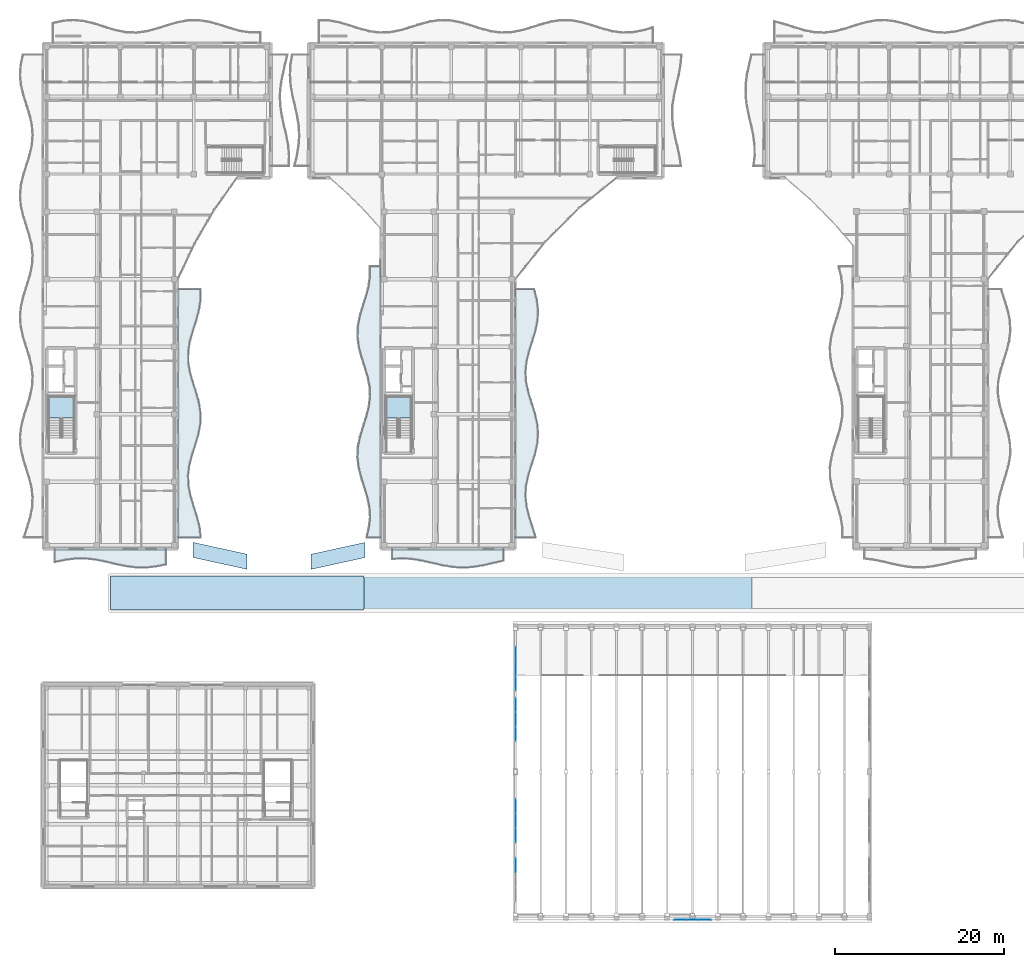
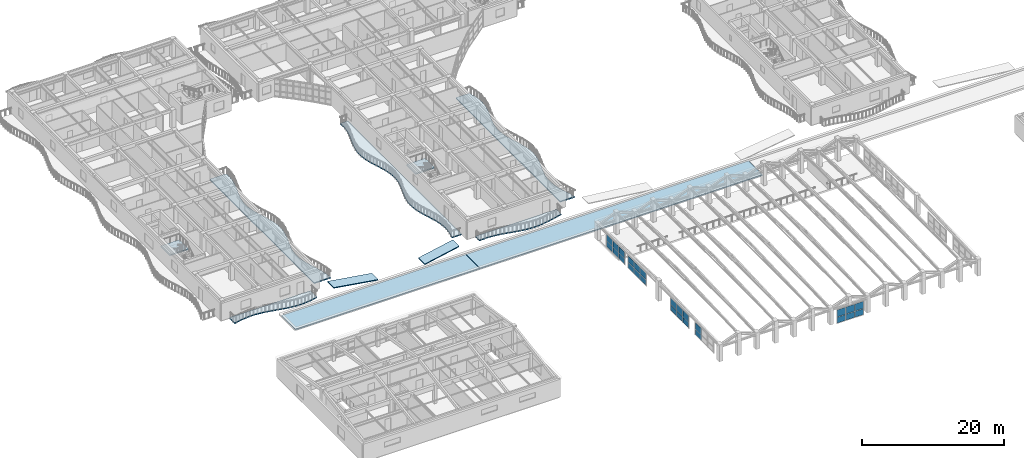
# One storey, part 70 of 128: 26 plates, 11 slabs, 7 elements without a shape of their own.
"""IFC4 building model written with IfcOpenShell, lengths in metres."""

from ifc_helpers import new_model, si_unit, direction, frame, origin, origin_2d, place, context, subcontext, project, spatial, polyline, rectangle, outline, extrude, material, layer, layer_set, type_object, element, aggregate, save


model = new_model("IFC4")

# Units and contexts
model_context = context("Model", 3, precision=1e-05, world=origin(), true_north=direction((0.0, 1.0)))
body_context = subcontext(model_context, "Body", "Model", "MODEL_VIEW")
ifc_project = project(units=[si_unit("LENGTHUNIT", "METRE"), si_unit("AREAUNIT", "SQUARE_METRE"), si_unit("VOLUMEUNIT", "CUBIC_METRE"), si_unit("PLANEANGLEUNIT", "RADIAN"), si_unit("MASSUNIT", "GRAM", prefix="KILO")], contexts=[model_context])

# Site, building, storey
site_placement = place(None, origin())
site = spatial("IfcSite", under=ifc_project, at=site_placement, CompositionType="ELEMENT")
building_placement = place(site_placement, origin())
building = spatial("IfcBuilding", under=site, at=building_placement, Name="Keldmere Railside Commons", CompositionType="ELEMENT")
storey_placement = place(building_placement, frame((0.0, 0.0, 4.159912109375)))
storey = spatial("IfcBuildingStorey", under=building, at=storey_placement, Name="L01", CompositionType="ELEMENT", Elevation=4.159912109375)

# Curtain wall, plates
ifc_material_1 = material(Name="Thermally Broken Aluminium", Category="aluminium")
ifc_layer_1 = layer(ifc_material_1, 0.159912109375, Name="Community Hall Side Clerestory CW 5200x2200")
ifc_layer_set_1 = layer_set([ifc_layer_1], Name="Thermally Broken Aluminium")
curtain_wall_type_1 = type_object("IfcCurtainWallType", Name="Community Hall Side Clerestory CW 5200x2200", PredefinedType="NOTDEFINED", material=ifc_layer_set_1)
curtain_wall_1_placement = place(storey_placement, origin())
curtain_wall_1 = element("IfcCurtainWall", 1, at=curtain_wall_1_placement, inside=storey, type_object=curtain_wall_type_1, Name="CW-06 CW-L01-205", PredefinedType="NOTDEFINED")
ifc_material_2 = material(Name="Low-E Insulated Double Glazing", Category="glass")
ifc_layer_2 = layer(ifc_material_2, 0.033935546875, Name="Acoustic Laminated Vision Panel 34")
ifc_layer_set_2 = layer_set([ifc_layer_2], Name="Low-E Insulated Double Glazing")
plate_type_1 = type_object("IfcPlateType", Name="Acoustic Laminated Vision Panel 34", PredefinedType="CURTAIN_PANEL", material=ifc_layer_set_2)
plate_1_placement = place(storey_placement, frame((64.050048828125, 22.0830078125, 0.1552734375), z_axis=(0.0, 0.0, 1.0), x_axis=(0.0, 1.0, 0.0)))
plate_1 = element("IfcPlate", 2, at=plate_1_placement, type_object=plate_type_1, Name="CW-06 panel 1.1", PredefinedType="CURTAIN_PANEL", context=body_context, shape_type="SweptSolid", body=[
    extrude(rectangle(XDim=1.6357421875, YDim=0.033935546875, at=origin_2d()), origin(), (0.0, 0.0, 1.0), 0.902587890625),
])
plate_2_placement = place(storey_placement, frame((64.050048828125, 22.0830078125, 1.12255859375), z_axis=(0.0, 0.0, 1.0), x_axis=(0.0, 1.0, 0.0)))
plate_2 = element("IfcPlate", 3, at=plate_2_placement, type_object=plate_type_1, Name="CW-06 panel 1.2", PredefinedType="CURTAIN_PANEL", context=body_context, shape_type="SweptSolid", body=[
    extrude(rectangle(XDim=1.6357421875, YDim=0.033935546875, at=origin_2d()), origin(), (0.0, 0.0, 1.0), 1.1025390625),
])
plate_3_placement = place(storey_placement, frame((64.050048828125, 23.800048828125, 0.1552734375), z_axis=(0.0, 0.0, 1.0), x_axis=(0.0, 1.0, 0.0)))
plate_3 = element("IfcPlate", 4, at=plate_3_placement, type_object=plate_type_1, Name="CW-06 panel 2.1", PredefinedType="CURTAIN_PANEL", context=body_context, shape_type="SweptSolid", body=[
    extrude(rectangle(XDim=1.668212890625, YDim=0.033935546875, at=origin_2d()), origin(), (0.0, 0.0, 1.0), 0.902587890625),
])
plate_4_placement = place(storey_placement, frame((64.050048828125, 23.800048828125, 1.12255859375), z_axis=(0.0, 0.0, 1.0), x_axis=(0.0, 1.0, 0.0)))
plate_4 = element("IfcPlate", 5, at=plate_4_placement, type_object=plate_type_1, Name="CW-06 panel 2.2", PredefinedType="CURTAIN_PANEL", context=body_context, shape_type="SweptSolid", body=[
    extrude(rectangle(XDim=1.668212890625, YDim=0.033935546875, at=origin_2d()), origin(), (0.0, 0.0, 1.0), 1.1025390625),
])
plate_5_placement = place(storey_placement, frame((64.050048828125, 25.51708984375, 0.1552734375), z_axis=(0.0, 0.0, 1.0), x_axis=(0.0, 1.0, 0.0)))
plate_5 = element("IfcPlate", 6, at=plate_5_placement, type_object=plate_type_1, Name="CW-06 panel 3.1", PredefinedType="CURTAIN_PANEL", context=body_context, shape_type="SweptSolid", body=[
    extrude(rectangle(XDim=1.6357421875, YDim=0.033935546875, at=origin_2d()), origin(), (0.0, 0.0, 1.0), 0.902587890625),
])
plate_6_placement = place(storey_placement, frame((64.050048828125, 25.51708984375, 1.12255859375), z_axis=(0.0, 0.0, 1.0), x_axis=(0.0, 1.0, 0.0)))
plate_6 = element("IfcPlate", 7, at=plate_6_placement, type_object=plate_type_1, Name="CW-06 panel 3.2", PredefinedType="CURTAIN_PANEL", context=body_context, shape_type="SweptSolid", body=[
    extrude(rectangle(XDim=1.6357421875, YDim=0.033935546875, at=origin_2d()), origin(), (0.0, 0.0, 1.0), 1.1025390625),
])
aggregate(curtain_wall_1, [plate_1, plate_2, plate_3, plate_4, plate_5, plate_6])

# Slabs
ifc_material_3 = material(Name="Concrete H-35 (C35/45)", Category="concrete")
ifc_layer_3 = layer(ifc_material_3, 0.14990234375, Name="Canopy & Headhouse Roof Slab 150")
ifc_layer_set_3 = layer_set([ifc_layer_3], Name="Concrete H-35 (C35/45)")
slab_type_1 = type_object("IfcSlabType", Name="Canopy & Headhouse Roof Slab 150", PredefinedType="ROOF", material=ifc_layer_set_3)
slab_1_placement = place(storey_placement, frame((0.0, 0.0, -0.14990234375)))
element("IfcSlab", 8, at=slab_1_placement, inside=storey, type_object=slab_type_1, Name="RT-3 COLROOF-L01-085", PredefinedType="ROOF", context=body_context, shape_type="SweptSolid", body=[
    extrude(outline(polyline([(16.0, 48.800048828125), (45.969970703125, 48.800048828125), (45.969970703125, 52.800048828125), (16.0, 52.800048828125), (16.0, 48.800048828125)])), origin(), (0.0, 0.0, 1.0), 0.14990234375),
])
slab_2_placement = place(storey_placement, frame((0.0, 0.0, -0.14990234375)))
element("IfcSlab", 9, at=slab_2_placement, inside=storey, type_object=slab_type_1, Name="RT-3 COLROOF-L01-086", PredefinedType="ROOF", context=body_context, shape_type="SweptSolid", body=[
    extrude(outline(polyline([(91.969970703125, 52.800048828125), (46.030029296875, 52.800048828125), (46.030029296875, 48.800048828125), (91.969970703125, 48.800048828125), (91.969970703125, 52.800048828125)])), origin(), (0.0, 0.0, 1.0), 0.14990234375),
])
slab_3_placement = place(storey_placement, frame((0.0, 0.0, -0.14990234375)))
element("IfcSlab", 10, at=slab_3_placement, inside=storey, type_object=slab_type_1, Name="RT-3 HEXW-L-L01-089", PredefinedType="ROOF", context=body_context, shape_type="SweptSolid", body=[
    extrude(outline(polyline([(25.800048828125, 55.0), (32.199951171875, 53.60009765625), (32.199951171875, 55.39990234375), (25.800048828125, 56.800048828125), (25.800048828125, 55.0)])), origin(), (0.0, 0.0, 1.0), 0.14990234375),
])
slab_4_placement = place(storey_placement, frame((0.0, 0.0, -0.14990234375)))
element("IfcSlab", 11, at=slab_4_placement, inside=storey, type_object=slab_type_1, Name="RT-3 HEXW-R-L01-090", PredefinedType="ROOF", context=body_context, shape_type="SweptSolid", body=[
    extrude(outline(polyline([(39.800048828125, 53.60009765625), (46.199951171875, 55.0), (46.199951171875, 56.800048828125), (39.800048828125, 55.39990234375), (39.800048828125, 53.60009765625)])), origin(), (0.0, 0.0, 1.0), 0.14990234375),
])

# Curtain wall, plates
curtain_wall_2_placement = place(storey_placement, origin())
curtain_wall_2 = element("IfcCurtainWall", 12, at=curtain_wall_2_placement, inside=storey, type_object=curtain_wall_type_1, Name="CW-06 CW-L01-203", PredefinedType="NOTDEFINED")
ifc_layer_4 = layer(ifc_material_2, 0.031982421875, Name="Clerestory Solar-Control Vision Panel 32")
ifc_layer_set_4 = layer_set([ifc_layer_4], Name="Low-E Insulated Double Glazing")
plate_type_2 = type_object("IfcPlateType", Name="Clerestory Solar-Control Vision Panel 32", PredefinedType="CURTAIN_PANEL", material=ifc_layer_set_4)
plate_7_placement = place(storey_placement, frame((64.050048828125, 18.51708984375, 0.1552734375), z_axis=(0.0, 0.0, 1.0), x_axis=(0.0, 1.0, 0.0)))
plate_7 = element("IfcPlate", 13, at=plate_7_placement, type_object=plate_type_2, Name="CW-06 panel 3.1", PredefinedType="CURTAIN_PANEL", context=body_context, shape_type="SweptSolid", body=[
    extrude(rectangle(XDim=1.6357421875, YDim=0.031982421875, at=origin_2d()), origin(), (0.0, 0.0, 1.0), 0.902587890625),
])
plate_8_placement = place(storey_placement, frame((64.050048828125, 18.51708984375, 1.12255859375), z_axis=(0.0, 0.0, 1.0), x_axis=(0.0, 1.0, 0.0)))
plate_8 = element("IfcPlate", 14, at=plate_8_placement, type_object=plate_type_2, Name="CW-06 panel 3.2", PredefinedType="CURTAIN_PANEL", context=body_context, shape_type="SweptSolid", body=[
    extrude(rectangle(XDim=1.6357421875, YDim=0.031982421875, at=origin_2d()), origin(), (0.0, 0.0, 1.0), 1.1025390625),
])
aggregate(curtain_wall_2, [plate_7, plate_8])

curtain_wall_3_placement = place(storey_placement, origin())
curtain_wall_3 = element("IfcCurtainWall", 15, at=curtain_wall_3_placement, inside=storey, type_object=curtain_wall_type_1, Name="CW-06 CW-L01-209", PredefinedType="NOTDEFINED")
plate_9_placement = place(storey_placement, frame((64.050048828125, 40.0830078125, 0.1552734375), z_axis=(0.0, 0.0, 1.0), x_axis=(0.0, 1.0, 0.0)))
plate_9 = element("IfcPlate", 16, at=plate_9_placement, type_object=plate_type_2, Name="CW-06 panel 1.1", PredefinedType="CURTAIN_PANEL", context=body_context, shape_type="SweptSolid", body=[
    extrude(rectangle(XDim=1.6357421875, YDim=0.031982421875, at=origin_2d()), origin(), (0.0, 0.0, 1.0), 0.902587890625),
])
plate_10_placement = place(storey_placement, frame((64.050048828125, 40.0830078125, 1.12255859375), z_axis=(0.0, 0.0, 1.0), x_axis=(0.0, 1.0, 0.0)))
plate_10 = element("IfcPlate", 17, at=plate_10_placement, type_object=plate_type_2, Name="CW-06 panel 1.2", PredefinedType="CURTAIN_PANEL", context=body_context, shape_type="SweptSolid", body=[
    extrude(rectangle(XDim=1.6357421875, YDim=0.031982421875, at=origin_2d()), origin(), (0.0, 0.0, 1.0), 1.1025390625),
])
plate_11_placement = place(storey_placement, frame((64.050048828125, 41.800048828125, 0.1552734375), z_axis=(0.0, 0.0, 1.0), x_axis=(0.0, 1.0, 0.0)))
plate_11 = element("IfcPlate", 18, at=plate_11_placement, type_object=plate_type_2, Name="CW-06 panel 2.1", PredefinedType="CURTAIN_PANEL", context=body_context, shape_type="SweptSolid", body=[
    extrude(rectangle(XDim=1.668212890625, YDim=0.031982421875, at=origin_2d()), origin(), (0.0, 0.0, 1.0), 0.902587890625),
])
plate_12_placement = place(storey_placement, frame((64.050048828125, 41.800048828125, 1.12255859375), z_axis=(0.0, 0.0, 1.0), x_axis=(0.0, 1.0, 0.0)))
plate_12 = element("IfcPlate", 19, at=plate_12_placement, type_object=plate_type_2, Name="CW-06 panel 2.2", PredefinedType="CURTAIN_PANEL", context=body_context, shape_type="SweptSolid", body=[
    extrude(rectangle(XDim=1.668212890625, YDim=0.031982421875, at=origin_2d()), origin(), (0.0, 0.0, 1.0), 1.1025390625),
])
plate_13_placement = place(storey_placement, frame((64.050048828125, 43.51708984375, 0.1552734375), z_axis=(0.0, 0.0, 1.0), x_axis=(0.0, 1.0, 0.0)))
plate_13 = element("IfcPlate", 20, at=plate_13_placement, type_object=plate_type_2, Name="CW-06 panel 3.1", PredefinedType="CURTAIN_PANEL", context=body_context, shape_type="SweptSolid", body=[
    extrude(rectangle(XDim=1.6357421875, YDim=0.031982421875, at=origin_2d()), origin(), (0.0, 0.0, 1.0), 0.902587890625),
])
plate_14_placement = place(storey_placement, frame((64.050048828125, 43.51708984375, 1.12255859375), z_axis=(0.0, 0.0, 1.0), x_axis=(0.0, 1.0, 0.0)))
plate_14 = element("IfcPlate", 21, at=plate_14_placement, type_object=plate_type_2, Name="CW-06 panel 3.2", PredefinedType="CURTAIN_PANEL", context=body_context, shape_type="SweptSolid", body=[
    extrude(rectangle(XDim=1.6357421875, YDim=0.031982421875, at=origin_2d()), origin(), (0.0, 0.0, 1.0), 1.1025390625),
])
aggregate(curtain_wall_3, [plate_9, plate_10, plate_11, plate_12, plate_13, plate_14])

ifc_layer_5 = layer(ifc_material_1, 0.159912109375, Name="Community Hall Gable Clerestory CW 4400x2400")
ifc_layer_set_5 = layer_set([ifc_layer_5], Name="Thermally Broken Aluminium")
curtain_wall_type_2 = type_object("IfcCurtainWallType", Name="Community Hall Gable Clerestory CW 4400x2400", PredefinedType="NOTDEFINED", material=ifc_layer_set_5)
curtain_wall_4_placement = place(storey_placement, origin())
curtain_wall_4 = element("IfcCurtainWall", 22, at=curtain_wall_4_placement, inside=storey, type_object=curtain_wall_type_2, Name="CW-07 CW-L01-212", PredefinedType="NOTDEFINED")
plate_15_placement = place(storey_placement, frame((83.549560546875, 12.050048828125, -0.044921875), z_axis=(0.0, 0.0, 1.0), x_axis=(1.0, 0.0, 0.0)))
plate_15 = element("IfcPlate", 23, at=plate_15_placement, type_object=plate_type_2, Name="CW-07 panel 1.1", PredefinedType="CURTAIN_PANEL", context=body_context, shape_type="SweptSolid", body=[
    extrude(rectangle(XDim=1.369140625, YDim=0.031982421875, at=origin_2d()), origin(), (0.0, 0.0, 1.0), 1.00244140625),
])
plate_16_placement = place(storey_placement, frame((83.549560546875, 12.050048828125, 1.0224609375), z_axis=(0.0, 0.0, 1.0), x_axis=(1.0, 0.0, 0.0)))
plate_16 = element("IfcPlate", 24, at=plate_16_placement, type_object=plate_type_2, Name="CW-07 panel 1.2", PredefinedType="CURTAIN_PANEL", context=body_context, shape_type="SweptSolid", body=[
    extrude(rectangle(XDim=1.369140625, YDim=0.031982421875, at=origin_2d()), origin(), (0.0, 0.0, 1.0), 1.202392578125),
])
plate_17_placement = place(storey_placement, frame((85.0, 12.050048828125, -0.044921875), z_axis=(0.0, 0.0, 1.0), x_axis=(1.0, 0.0, 0.0)))
plate_17 = element("IfcPlate", 25, at=plate_17_placement, type_object=plate_type_2, Name="CW-07 panel 2.1", PredefinedType="CURTAIN_PANEL", context=body_context, shape_type="SweptSolid", body=[
    extrude(rectangle(XDim=1.401611328125, YDim=0.031982421875, at=origin_2d()), origin(), (0.0, 0.0, 1.0), 1.00244140625),
])
plate_18_placement = place(storey_placement, frame((85.0, 12.050048828125, 1.0224609375), z_axis=(0.0, 0.0, 1.0), x_axis=(1.0, 0.0, 0.0)))
plate_18 = element("IfcPlate", 26, at=plate_18_placement, type_object=plate_type_2, Name="CW-07 panel 2.2", PredefinedType="CURTAIN_PANEL", context=body_context, shape_type="SweptSolid", body=[
    extrude(rectangle(XDim=1.401611328125, YDim=0.031982421875, at=origin_2d()), origin(), (0.0, 0.0, 1.0), 1.202392578125),
])
plate_19_placement = place(storey_placement, frame((86.450439453125, 12.050048828125, -0.044921875), z_axis=(0.0, 0.0, 1.0), x_axis=(1.0, 0.0, 0.0)))
plate_19 = element("IfcPlate", 27, at=plate_19_placement, type_object=plate_type_2, Name="CW-07 panel 3.1", PredefinedType="CURTAIN_PANEL", context=body_context, shape_type="SweptSolid", body=[
    extrude(rectangle(XDim=1.369140625, YDim=0.031982421875, at=origin_2d()), origin(), (0.0, 0.0, 1.0), 1.00244140625),
])
plate_20_placement = place(storey_placement, frame((86.450439453125, 12.050048828125, 1.0224609375), z_axis=(0.0, 0.0, 1.0), x_axis=(1.0, 0.0, 0.0)))
plate_20 = element("IfcPlate", 28, at=plate_20_placement, type_object=plate_type_2, Name="CW-07 panel 3.2", PredefinedType="CURTAIN_PANEL", context=body_context, shape_type="SweptSolid", body=[
    extrude(rectangle(XDim=1.369140625, YDim=0.031982421875, at=origin_2d()), origin(), (0.0, 0.0, 1.0), 1.202392578125),
])
aggregate(curtain_wall_4, [plate_15, plate_16, plate_17, plate_18, plate_19, plate_20])

# Stair, slab
ifc_material_4 = material(Name="Concrete H-30 (C30/37)", Category="concrete")
stair_type = type_object("IfcStairType", Name="Residential Core Dogleg Stair 1450", PredefinedType="HALF_TURN_STAIR", material=ifc_material_4)
stair_1_placement = place(storey_placement, origin())
stair_1 = element("IfcStair", 29, at=stair_1_placement, inside=storey, type_object=stair_type, Name="L01 Block D Primary Escape Stair 1", PredefinedType="HALF_TURN_STAIR")
ifc_layer_6 = layer(ifc_material_4, 0.199951171875, Name="Enclosed Stair Landing Slab 200")
ifc_layer_set_6 = layer_set([ifc_layer_6], Name="Concrete H-30 (C30/37)")
slab_type_2 = type_object("IfcSlabType", Name="Enclosed Stair Landing Slab 200", PredefinedType="LANDING", material=ifc_layer_set_6)
slab_5_placement = place(storey_placement, frame((0.0, 0.0, 1.400146484375)))
slab_5 = element("IfcSlab", 30, at=slab_5_placement, type_object=slab_type_2, Name="ST-D1 landing 1", PredefinedType="LANDING", context=body_context, shape_type="SweptSolid", body=[
    extrude(outline(polyline([(11.699951171875, 71.52001953125), (11.699951171875, 74.10009765625), (8.64990234375, 74.10009765625), (8.64990234375, 71.52001953125), (11.699951171875, 71.52001953125)])), origin(), (0.0, 0.0, 1.0), 0.199951171875),
])
aggregate(stair_1, [slab_5])

stair_2_placement = place(storey_placement, origin())
stair_2 = element("IfcStair", 31, at=stair_2_placement, inside=storey, type_object=stair_type, Name="L01 Block C Primary Escape Stair 1", PredefinedType="HALF_TURN_STAIR")
slab_6_placement = place(storey_placement, frame((0.0, 0.0, 1.400146484375)))
slab_6 = element("IfcSlab", 32, at=slab_6_placement, type_object=slab_type_2, Name="ST-C1 landing 1", PredefinedType="LANDING", context=body_context, shape_type="SweptSolid", body=[
    extrude(outline(polyline([(51.699951171875, 71.52001953125), (51.699951171875, 74.10009765625), (48.64990234375, 74.10009765625), (48.64990234375, 71.52001953125), (51.699951171875, 71.52001953125)])), origin(), (0.0, 0.0, 1.0), 0.199951171875),
])
aggregate(stair_2, [slab_6])

# Curtain wall, plates
curtain_wall_5_placement = place(storey_placement, origin())
curtain_wall_5 = element("IfcCurtainWall", 33, at=curtain_wall_5_placement, inside=storey, type_object=curtain_wall_type_1, Name="CW-06 CW-L01-207", PredefinedType="NOTDEFINED")
ifc_layer_7 = layer(ifc_material_2, 0.028076171875, Name="Low-E Vision Glazing Panel 28")
ifc_layer_set_7 = layer_set([ifc_layer_7], Name="Low-E Insulated Double Glazing")
plate_type_3 = type_object("IfcPlateType", Name="Low-E Vision Glazing Panel 28", PredefinedType="CURTAIN_PANEL", material=ifc_layer_set_7)
plate_21_placement = place(storey_placement, frame((64.050048828125, 34.0830078125, 0.1552734375), z_axis=(0.0, 0.0, 1.0), x_axis=(0.0, 1.0, 0.0)))
plate_21 = element("IfcPlate", 34, at=plate_21_placement, type_object=plate_type_3, Name="CW-06 panel 1.1", PredefinedType="CURTAIN_PANEL", context=body_context, shape_type="SweptSolid", body=[
    extrude(rectangle(XDim=1.6357421875, YDim=0.028076171875, at=origin_2d()), origin(), (0.0, 0.0, 1.0), 0.902587890625),
])
plate_22_placement = place(storey_placement, frame((64.050048828125, 34.0830078125, 1.12255859375), z_axis=(0.0, 0.0, 1.0), x_axis=(0.0, 1.0, 0.0)))
plate_22 = element("IfcPlate", 35, at=plate_22_placement, type_object=plate_type_3, Name="CW-06 panel 1.2", PredefinedType="CURTAIN_PANEL", context=body_context, shape_type="SweptSolid", body=[
    extrude(rectangle(XDim=1.6357421875, YDim=0.028076171875, at=origin_2d()), origin(), (0.0, 0.0, 1.0), 1.1025390625),
])
plate_23_placement = place(storey_placement, frame((64.050048828125, 35.800048828125, 0.1552734375), z_axis=(0.0, 0.0, 1.0), x_axis=(0.0, 1.0, 0.0)))
plate_23 = element("IfcPlate", 36, at=plate_23_placement, type_object=plate_type_3, Name="CW-06 panel 2.1", PredefinedType="CURTAIN_PANEL", context=body_context, shape_type="SweptSolid", body=[
    extrude(rectangle(XDim=1.668212890625, YDim=0.028076171875, at=origin_2d()), origin(), (0.0, 0.0, 1.0), 0.902587890625),
])
plate_24_placement = place(storey_placement, frame((64.050048828125, 35.800048828125, 1.12255859375), z_axis=(0.0, 0.0, 1.0), x_axis=(0.0, 1.0, 0.0)))
plate_24 = element("IfcPlate", 37, at=plate_24_placement, type_object=plate_type_3, Name="CW-06 panel 2.2", PredefinedType="CURTAIN_PANEL", context=body_context, shape_type="SweptSolid", body=[
    extrude(rectangle(XDim=1.668212890625, YDim=0.028076171875, at=origin_2d()), origin(), (0.0, 0.0, 1.0), 1.1025390625),
])
plate_25_placement = place(storey_placement, frame((64.050048828125, 37.51708984375, 0.1552734375), z_axis=(0.0, 0.0, 1.0), x_axis=(0.0, 1.0, 0.0)))
plate_25 = element("IfcPlate", 38, at=plate_25_placement, type_object=plate_type_3, Name="CW-06 panel 3.1", PredefinedType="CURTAIN_PANEL", context=body_context, shape_type="SweptSolid", body=[
    extrude(rectangle(XDim=1.6357421875, YDim=0.028076171875, at=origin_2d()), origin(), (0.0, 0.0, 1.0), 0.902587890625),
])
plate_26_placement = place(storey_placement, frame((64.050048828125, 37.51708984375, 1.12255859375), z_axis=(0.0, 0.0, 1.0), x_axis=(0.0, 1.0, 0.0)))
plate_26 = element("IfcPlate", 39, at=plate_26_placement, type_object=plate_type_3, Name="CW-06 panel 3.2", PredefinedType="CURTAIN_PANEL", context=body_context, shape_type="SweptSolid", body=[
    extrude(rectangle(XDim=1.6357421875, YDim=0.028076171875, at=origin_2d()), origin(), (0.0, 0.0, 1.0), 1.1025390625),
])
aggregate(curtain_wall_5, [plate_21, plate_22, plate_23, plate_24, plate_25, plate_26])

# Slabs
ifc_material_5 = material(Name="White Precast Concrete H-35 (C35/45)", Category="concrete")
ifc_layer_8 = layer(ifc_material_5, 0.179931640625, Name="Sinusoidal Wave Balcony Slab 180")
ifc_layer_set_8 = layer_set([ifc_layer_8], Name="White Precast Concrete H-35 (C35/45)")
slab_type_3 = type_object("IfcSlabType", Name="Sinusoidal Wave Balcony Slab 180", PredefinedType="FLOOR", material=ifc_layer_set_8)
slab_7_placement = place(storey_placement, frame((0.0, 0.0, -0.179931640625)))
element("IfcSlab", 40, at=slab_7_placement, inside=storey, type_object=slab_type_3, Name="WB-1 D L01 CE Wave Balcony", PredefinedType="FLOOR", context=body_context, shape_type="SweptSolid", body=[
    extrude(outline(polyline([(26.697509765625, 57.39990234375), (26.56298828125, 58.625), (26.257568359375, 59.85009765625), (25.8662109375, 61.074951171875), (25.498291015625, 62.300048828125), (25.25634765625, 63.52490234375), (25.207763671875, 64.75), (25.366455078125, 65.97509765625), (25.687744140625, 67.199951171875), (26.082275390625, 68.425048828125), (26.43994140625, 69.64990234375), (26.660888671875, 70.875), (26.68359375, 72.10009765625), (26.50146484375, 73.324951171875), (26.165771484375, 74.550048828125), (25.769775390625, 75.77490234375), (25.424072265625, 77.0), (25.22509765625, 78.22509765625), (25.228271484375, 79.449951171875), (25.432861328125, 80.675048828125), (25.78173828125, 81.89990234375), (26.177490234375, 83.125), (26.510009765625, 84.35009765625), (26.68603515625, 85.574951171875), (26.65673828125, 86.800048828125), (24.0, 86.800048828125), (24.0, 85.574951171875), (24.0, 84.35009765625), (24.0, 83.125), (24.0, 81.89990234375), (24.0, 80.675048828125), (24.0, 79.449951171875), (24.0, 78.22509765625), (24.0, 77.0), (24.0, 75.77490234375), (24.0, 74.550048828125), (24.0, 73.324951171875), (24.0, 72.10009765625), (24.0, 70.875), (24.0, 69.64990234375), (24.0, 68.425048828125), (24.0, 67.199951171875), (24.0, 65.97509765625), (24.0, 64.75), (24.0, 63.52490234375), (24.0, 62.300048828125), (24.0, 61.074951171875), (24.0, 59.85009765625), (24.0, 58.625), (24.0, 57.39990234375), (26.697509765625, 57.39990234375)])), origin(), (0.0, 0.0, 1.0), 0.179931640625),
])
slab_8_placement = place(storey_placement, frame((0.0, 0.0, -0.179931640625)))
element("IfcSlab", 41, at=slab_8_placement, inside=storey, type_object=slab_type_3, Name="WB-1 D L01 S Wave Balcony", PredefinedType="FLOOR", context=body_context, shape_type="SweptSolid", body=[
    extrude(outline(polyline([(9.39990234375, 54.4638671875), (10.60009765625, 54.717529296875), (11.800048828125, 54.872802734375), (13.0, 54.88818359375), (14.199951171875, 54.759033203125), (15.39990234375, 54.5205078125), (16.60009765625, 54.236083984375), (17.800048828125, 53.982421875), (19.0, 53.8271484375), (20.199951171875, 53.81201171875), (21.39990234375, 53.94091796875), (22.60009765625, 54.179443359375), (22.60009765625, 56.0), (21.39990234375, 56.0), (20.199951171875, 56.0), (19.0, 56.0), (17.800048828125, 56.0), (16.60009765625, 56.0), (15.39990234375, 56.0), (14.199951171875, 56.0), (13.0, 56.0), (11.800048828125, 56.0), (10.60009765625, 56.0), (9.39990234375, 56.0), (9.39990234375, 54.4638671875)])), origin(), (0.0, 0.0, 1.0), 0.179931640625),
])
slab_9_placement = place(storey_placement, frame((0.0, 0.0, -0.179931640625)))
element("IfcSlab", 42, at=slab_9_placement, inside=storey, type_object=slab_type_3, Name="WB-1 C L01 CE Wave Balcony", PredefinedType="FLOOR", context=body_context, shape_type="SweptSolid", body=[
    extrude(outline(polyline([(66.39892578125, 57.39990234375), (66.0302734375, 58.625), (65.63916015625, 59.85009765625), (65.334716796875, 61.074951171875), (65.2021484375, 62.300048828125), (65.278076171875, 63.52490234375), (65.54150390625, 64.75), (65.918701171875, 65.97509765625), (66.304931640625, 67.199951171875), (66.592041015625, 68.425048828125), (66.699951171875, 69.64990234375), (66.598876953125, 70.875), (66.316650390625, 72.10009765625), (65.93212890625, 73.324951171875), (65.552734375, 74.550048828125), (65.2841796875, 75.77490234375), (65.201171875, 77.0), (65.3271484375, 78.22509765625), (65.626953125, 79.449951171875), (66.016845703125, 80.675048828125), (66.38818359375, 81.89990234375), (66.63720703125, 83.125), (66.6943359375, 84.35009765625), (66.544189453125, 85.574951171875), (66.22802734375, 86.800048828125), (64.0, 86.800048828125), (64.0, 85.574951171875), (64.0, 84.35009765625), (64.0, 83.125), (64.0, 81.89990234375), (64.0, 80.675048828125), (64.0, 79.449951171875), (64.0, 78.22509765625), (64.0, 77.0), (64.0, 75.77490234375), (64.0, 74.550048828125), (64.0, 73.324951171875), (64.0, 72.10009765625), (64.0, 70.875), (64.0, 69.64990234375), (64.0, 68.425048828125), (64.0, 67.199951171875), (64.0, 65.97509765625), (64.0, 64.75), (64.0, 63.52490234375), (64.0, 62.300048828125), (64.0, 61.074951171875), (64.0, 59.85009765625), (64.0, 58.625), (64.0, 57.39990234375), (66.39892578125, 57.39990234375)])), origin(), (0.0, 0.0, 1.0), 0.179931640625),
])
slab_10_placement = place(storey_placement, frame((0.0, 0.0, -0.179931640625)))
element("IfcSlab", 43, at=slab_10_placement, inside=storey, type_object=slab_type_3, Name="WB-1 C L01 CW Wave Balcony", PredefinedType="FLOOR", context=body_context, shape_type="SweptSolid", body=[
    extrude(outline(polyline([(48.0, 57.39990234375), (48.0, 58.5888671875), (48.0, 59.77783203125), (48.0, 60.966796875), (48.0, 62.155517578125), (48.0, 63.344482421875), (48.0, 64.533203125), (48.0, 65.72216796875), (48.0, 66.9111328125), (48.0, 68.10009765625), (48.0, 69.288818359375), (48.0, 70.477783203125), (48.0, 71.666748046875), (48.0, 72.855712890625), (48.0, 74.04443359375), (48.0, 75.2333984375), (48.0, 76.422119140625), (48.0, 77.611083984375), (48.0, 78.800048828125), (48.0, 79.989013671875), (48.0, 81.177734375), (48.0, 82.36669921875), (48.0, 83.5556640625), (48.0, 84.744384765625), (48.0, 85.933349609375), (48.0, 87.122314453125), (48.0, 88.31103515625), (48.0, 89.5), (46.760009765625, 89.5), (46.786376953125, 88.31103515625), (46.618896484375, 87.122314453125), (46.301513671875, 85.933349609375), (45.918212890625, 84.744384765625), (45.569580078125, 83.5556640625), (45.34716796875, 82.36669921875), (45.309814453125, 81.177734375), (45.46728515625, 79.989013671875), (45.778076171875, 78.800048828125), (46.160400390625, 77.611083984375), (46.513671875, 76.422119140625), (46.744873046875, 75.2333984375), (46.79345703125, 74.04443359375), (46.646240234375, 72.855712890625), (46.34228515625, 71.666748046875), (45.961181640625, 70.477783203125), (45.603759765625, 69.288818359375), (45.363525390625, 68.10009765625), (45.30419921875, 66.9111328125), (45.44091796875, 65.72216796875), (45.73779296875, 64.533203125), (46.116943359375, 63.344482421875), (46.478515625, 62.155517578125), (46.727294921875, 60.966796875), (46.7978515625, 59.77783203125), (46.671630859375, 58.5888671875), (46.3818359375, 57.39990234375), (48.0, 57.39990234375)])), origin(), (0.0, 0.0, 1.0), 0.179931640625),
])
slab_11_placement = place(storey_placement, frame((0.0, 0.0, -0.179931640625)))
element("IfcSlab", 44, at=slab_11_placement, inside=storey, type_object=slab_type_3, Name="WB-1 C L01 S Wave Balcony", PredefinedType="FLOOR", context=body_context, shape_type="SweptSolid", body=[
    extrude(outline(polyline([(49.39990234375, 54.829345703125), (50.60009765625, 54.89990234375), (51.800048828125, 54.8232421875), (53.0, 54.61962890625), (54.199951171875, 54.34375), (55.39990234375, 54.069580078125), (56.60009765625, 53.87060546875), (57.800048828125, 53.800048828125), (59.0, 53.876708984375), (60.199951171875, 54.080322265625), (61.39990234375, 54.356201171875), (62.60009765625, 54.63037109375), (62.60009765625, 56.0), (61.39990234375, 56.0), (60.199951171875, 56.0), (59.0, 56.0), (57.800048828125, 56.0), (56.60009765625, 56.0), (55.39990234375, 56.0), (54.199951171875, 56.0), (53.0, 56.0), (51.800048828125, 56.0), (50.60009765625, 56.0), (49.39990234375, 56.0), (49.39990234375, 54.829345703125)])), origin(), (0.0, 0.0, 1.0), 0.179931640625),
])

save(model, "model.ifc")
